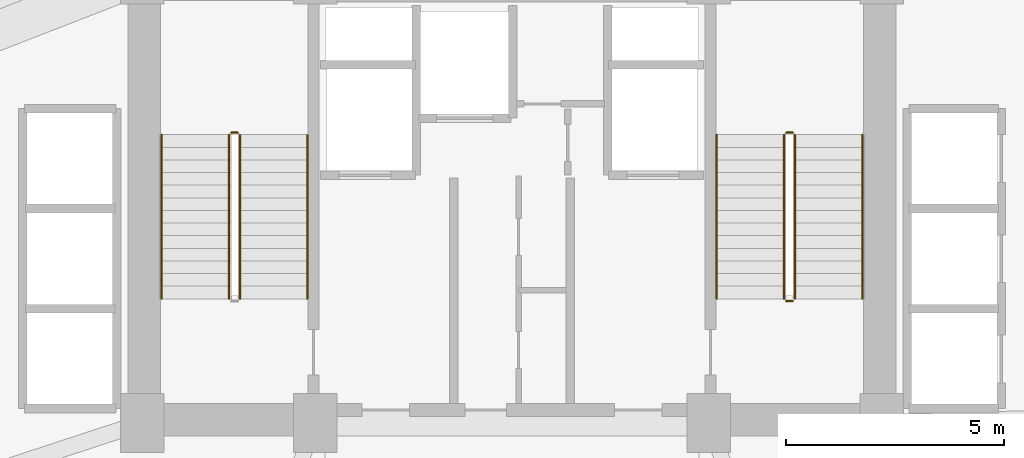
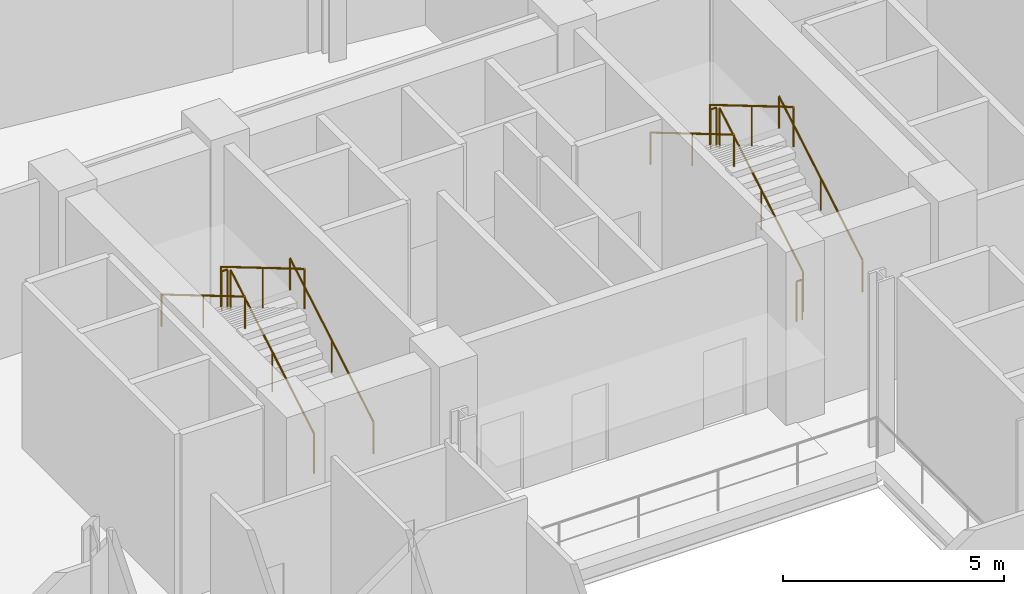
# One storey, part 21 of 22: 11 railings.
"""IFC4 building model written with IfcOpenShell, lengths in metres."""

from ifc_helpers import new_model, si_unit, direction, frame, origin, origin_2d, place, context, subcontext, project, spatial, circle, extrude, material, type_object, element, save


model = new_model("IFC4")

# Units and contexts
model_context = context("Model", 3, precision=1e-05, world=origin(), true_north=direction((0.0, 1.0)))
body_context = subcontext(model_context, "Body", "Model", "MODEL_VIEW")
ifc_project = project(units=[si_unit("LENGTHUNIT", "METRE"), si_unit("AREAUNIT", "SQUARE_METRE"), si_unit("VOLUMEUNIT", "CUBIC_METRE"), si_unit("PLANEANGLEUNIT", "RADIAN"), si_unit("MASSUNIT", "GRAM", prefix="KILO")], contexts=[model_context])

# Site, building, storey
site_placement = place(None, origin())
site = spatial("IfcSite", under=ifc_project, at=site_placement, CompositionType="ELEMENT")
building_placement = place(site_placement, origin())
building = spatial("IfcBuilding", under=site, at=building_placement, Name="Varnelok Gate Tower", CompositionType="ELEMENT")
storey_placement = place(building_placement, frame((0.0, 0.0, 116.89990234375)))
storey = spatial("IfcBuildingStorey", under=building, at=storey_placement, Name="L29", CompositionType="ELEMENT", Elevation=116.89990234375)

# Railings
ifc_material_1 = material(Name="Brushed Stainless Steel AISI 316", Category="steel")
railing_type_1 = type_object("IfcRailingType", Name="RL-HANDRAIL-900", PredefinedType="HANDRAIL", material=ifc_material_1)
railing_1_placement = place(storey_placement, frame((34.5, 31.60009765625, 0.171630859375)))
element("IfcRailing", 1, at=railing_1_placement, inside=storey, type_object=railing_type_1, Name="L29 ST-1 stair handrail 1", PredefinedType="HANDRAIL", context=body_context, shape_type="SweptSolid", body=[
    extrude(circle(Radius=0.02392578125, at=origin_2d()), frame((0.0, 0.0, 0.8759765625), z_axis=(0.0, 0.860848830602, 0.508860777473), x_axis=(-1.0, 0.0, 0.0)), (0.0, 0.0, 1.0), 4.37939453125),
    extrude(circle(Radius=0.02099609375, at=origin_2d()), origin(), (0.0, 0.0, 1.0), 0.851806640625),
    extrude(circle(Radius=0.02099609375, at=origin_2d()), frame((0.0, 1.885009765625, 1.1142578125)), (0.0, 0.0, 1.0), 0.851806640625),
    extrude(circle(Radius=0.02099609375, at=origin_2d()), frame((0.0, 3.77001953125, 2.228515625)), (0.0, 0.0, 1.0), 0.851806640625),
])
railing_2_placement = place(storey_placement, frame((31.14990234375, 35.3701171875, 2.571533203125)))
element("IfcRailing", 2, at=railing_2_placement, inside=storey, type_object=railing_type_1, Name="L29 ST-1 stair handrail 2", PredefinedType="HANDRAIL", context=body_context, shape_type="SweptSolid", body=[
    extrude(circle(Radius=0.02392578125, at=origin_2d()), frame((0.0, 0.0, 0.8759765625), z_axis=(0.0, -0.860848830602, 0.508860777473), x_axis=(1.0, 0.0, 0.0)), (0.0, 0.0, 1.0), 4.37939453125),
    extrude(circle(Radius=0.02099609375, at=origin_2d()), origin(), (0.0, 0.0, 1.0), 0.851806640625),
    extrude(circle(Radius=0.02099609375, at=origin_2d()), frame((0.0, -1.885009765625, 1.1142578125)), (0.0, 0.0, 1.0), 0.851806640625),
    extrude(circle(Radius=0.02099609375, at=origin_2d()), frame((0.0, -3.77001953125, 2.228515625)), (0.0, 0.0, 1.0), 0.851806640625),
])
railing_3_placement = place(storey_placement, frame((47.25, 31.60009765625, 0.171630859375)))
element("IfcRailing", 3, at=railing_3_placement, inside=storey, type_object=railing_type_1, Name="L29 ST-2 stair handrail 1", PredefinedType="HANDRAIL", context=body_context, shape_type="SweptSolid", body=[
    extrude(circle(Radius=0.02392578125, at=origin_2d()), frame((0.0, 0.0, 0.8759765625), z_axis=(0.0, 0.860848830602, 0.508860777473), x_axis=(-1.0, 0.0, 0.0)), (0.0, 0.0, 1.0), 4.37939453125),
    extrude(circle(Radius=0.02099609375, at=origin_2d()), origin(), (0.0, 0.0, 1.0), 0.851806640625),
    extrude(circle(Radius=0.02099609375, at=origin_2d()), frame((0.0, 1.885009765625, 1.1142578125)), (0.0, 0.0, 1.0), 0.851806640625),
    extrude(circle(Radius=0.02099609375, at=origin_2d()), frame((0.0, 3.77001953125, 2.228515625)), (0.0, 0.0, 1.0), 0.851806640625),
])
railing_4_placement = place(storey_placement, frame((43.89990234375, 35.3701171875, 2.571533203125)))
element("IfcRailing", 4, at=railing_4_placement, inside=storey, type_object=railing_type_1, Name="L29 ST-2 stair handrail 2", PredefinedType="HANDRAIL", context=body_context, shape_type="SweptSolid", body=[
    extrude(circle(Radius=0.02392578125, at=origin_2d()), frame((0.0, 0.0, 0.8759765625), z_axis=(0.0, -0.860848830602, 0.508860777473), x_axis=(1.0, 0.0, 0.0)), (0.0, 0.0, 1.0), 4.37939453125),
    extrude(circle(Radius=0.02099609375, at=origin_2d()), origin(), (0.0, 0.0, 1.0), 0.851806640625),
    extrude(circle(Radius=0.02099609375, at=origin_2d()), frame((0.0, -1.885009765625, 1.1142578125)), (0.0, 0.0, 1.0), 0.851806640625),
    extrude(circle(Radius=0.02099609375, at=origin_2d()), frame((0.0, -3.77001953125, 2.228515625)), (0.0, 0.0, 1.0), 0.851806640625),
])
ifc_material_2 = material(Name="Galvanized Steel Grade S350GD", Category="steel")
railing_type_2 = type_object("IfcRailingType", Name="RL-STAIR-GUARD1120", PredefinedType="GUARDRAIL", material=ifc_material_2)
railing_5_placement = place(storey_placement, frame((32.949951171875, 31.60009765625, 0.171630859375)))
element("IfcRailing", 5, at=railing_5_placement, inside=storey, type_object=railing_type_2, Name="L29 ST-1 stair guard 1", PredefinedType="GUARDRAIL", context=body_context, shape_type="SweptSolid", body=[
    extrude(circle(Radius=0.02392578125, at=origin_2d()), frame((0.0, 0.0, 1.09619140625), z_axis=(0.0, 0.860848830602, 0.508860777473), x_axis=(-1.0, 0.0, 0.0)), (0.0, 0.0, 1.0), 4.37939453125),
    extrude(circle(Radius=0.02099609375, at=origin_2d()), origin(), (0.0, 0.0, 1.0), 1.072021484375),
    extrude(circle(Radius=0.02099609375, at=origin_2d()), frame((0.0, 1.885009765625, 1.1142578125)), (0.0, 0.0, 1.0), 1.072021484375),
    extrude(circle(Radius=0.02099609375, at=origin_2d()), frame((0.0, 3.77001953125, 2.228515625)), (0.0, 0.0, 1.0), 1.072021484375),
])
railing_6_placement = place(storey_placement, frame((32.89990234375, 35.419921875, 2.400146484375)))
element("IfcRailing", 6, at=railing_6_placement, inside=storey, type_object=railing_type_2, Name="L29 ST-1 stair guard 2", PredefinedType="GUARDRAIL", context=body_context, shape_type="SweptSolid", body=[
    extrude(circle(Radius=0.02392578125, at=origin_2d()), frame((0.0, 0.0, 1.09619140625), z_axis=(-1.0, 0.0, 0.0), x_axis=(0.0, -1.0, 0.0)), (0.0, 0.0, 1.0), 0.14990234375),
    extrude(circle(Radius=0.02099609375, at=origin_2d()), origin(), (0.0, 0.0, 1.0), 1.072021484375),
    extrude(circle(Radius=0.02099609375, at=origin_2d()), frame((-0.14990234375, 0.0, 0.0)), (0.0, 0.0, 1.0), 1.072021484375),
])
railing_7_placement = place(storey_placement, frame((32.699951171875, 35.3701171875, 2.571533203125)))
element("IfcRailing", 7, at=railing_7_placement, inside=storey, type_object=railing_type_2, Name="L29 ST-1 stair guard 3", PredefinedType="GUARDRAIL", context=body_context, shape_type="SweptSolid", body=[
    extrude(circle(Radius=0.02392578125, at=origin_2d()), frame((0.0, 0.0, 1.09619140625), z_axis=(0.0, -0.860848830602, 0.508860777473), x_axis=(1.0, 0.0, 0.0)), (0.0, 0.0, 1.0), 4.37939453125),
    extrude(circle(Radius=0.02099609375, at=origin_2d()), origin(), (0.0, 0.0, 1.0), 1.072021484375),
    extrude(circle(Radius=0.02099609375, at=origin_2d()), frame((0.0, -1.885009765625, 1.1142578125)), (0.0, 0.0, 1.0), 1.072021484375),
    extrude(circle(Radius=0.02099609375, at=origin_2d()), frame((0.0, -3.77001953125, 2.228515625)), (0.0, 0.0, 1.0), 1.072021484375),
])
railing_8_placement = place(storey_placement, frame((45.699951171875, 31.60009765625, 0.171630859375)))
element("IfcRailing", 8, at=railing_8_placement, inside=storey, type_object=railing_type_2, Name="L29 ST-2 stair guard 1", PredefinedType="GUARDRAIL", context=body_context, shape_type="SweptSolid", body=[
    extrude(circle(Radius=0.02392578125, at=origin_2d()), frame((0.0, 0.0, 1.09619140625), z_axis=(0.0, 0.860848830602, 0.508860777473), x_axis=(-1.0, 0.0, 0.0)), (0.0, 0.0, 1.0), 4.37939453125),
    extrude(circle(Radius=0.02099609375, at=origin_2d()), origin(), (0.0, 0.0, 1.0), 1.072021484375),
    extrude(circle(Radius=0.02099609375, at=origin_2d()), frame((0.0, 1.885009765625, 1.1142578125)), (0.0, 0.0, 1.0), 1.072021484375),
    extrude(circle(Radius=0.02099609375, at=origin_2d()), frame((0.0, 3.77001953125, 2.228515625)), (0.0, 0.0, 1.0), 1.072021484375),
])
railing_9_placement = place(storey_placement, frame((45.64990234375, 35.419921875, 2.400146484375)))
element("IfcRailing", 9, at=railing_9_placement, inside=storey, type_object=railing_type_2, Name="L29 ST-2 stair guard 2", PredefinedType="GUARDRAIL", context=body_context, shape_type="SweptSolid", body=[
    extrude(circle(Radius=0.02392578125, at=origin_2d()), frame((0.0, 0.0, 1.09619140625), z_axis=(-1.0, 0.0, 0.0), x_axis=(0.0, -1.0, 0.0)), (0.0, 0.0, 1.0), 0.14990234375),
    extrude(circle(Radius=0.02099609375, at=origin_2d()), origin(), (0.0, 0.0, 1.0), 1.072021484375),
    extrude(circle(Radius=0.02099609375, at=origin_2d()), frame((-0.14990234375, 0.0, 0.0)), (0.0, 0.0, 1.0), 1.072021484375),
])
railing_10_placement = place(storey_placement, frame((45.449951171875, 35.3701171875, 2.571533203125)))
element("IfcRailing", 10, at=railing_10_placement, inside=storey, type_object=railing_type_2, Name="L29 ST-2 stair guard 3", PredefinedType="GUARDRAIL", context=body_context, shape_type="SweptSolid", body=[
    extrude(circle(Radius=0.02392578125, at=origin_2d()), frame((0.0, 0.0, 1.09619140625), z_axis=(0.0, -0.860848830602, 0.508860777473), x_axis=(1.0, 0.0, 0.0)), (0.0, 0.0, 1.0), 4.37939453125),
    extrude(circle(Radius=0.02099609375, at=origin_2d()), origin(), (0.0, 0.0, 1.0), 1.072021484375),
    extrude(circle(Radius=0.02099609375, at=origin_2d()), frame((0.0, -1.885009765625, 1.1142578125)), (0.0, 0.0, 1.0), 1.072021484375),
    extrude(circle(Radius=0.02099609375, at=origin_2d()), frame((0.0, -3.77001953125, 2.228515625)), (0.0, 0.0, 1.0), 1.072021484375),
])
railing_11_placement = place(storey_placement, frame((45.64990234375, 31.550048828125, 0.0)))
element("IfcRailing", 11, at=railing_11_placement, inside=storey, type_object=railing_type_2, Name="L29 ST-2 stair guard 4", PredefinedType="GUARDRAIL", context=body_context, shape_type="SweptSolid", body=[
    extrude(circle(Radius=0.02392578125, at=origin_2d()), frame((0.0, 0.0, 1.09619140625), z_axis=(-1.0, 0.0, 0.0), x_axis=(0.0, -1.0, 0.0)), (0.0, 0.0, 1.0), 0.14990234375),
    extrude(circle(Radius=0.02099609375, at=origin_2d()), origin(), (0.0, 0.0, 1.0), 1.072021484375),
    extrude(circle(Radius=0.02099609375, at=origin_2d()), frame((-0.14990234375, 0.0, 0.0)), (0.0, 0.0, 1.0), 1.072021484375),
])

save(model, "model.ifc")
